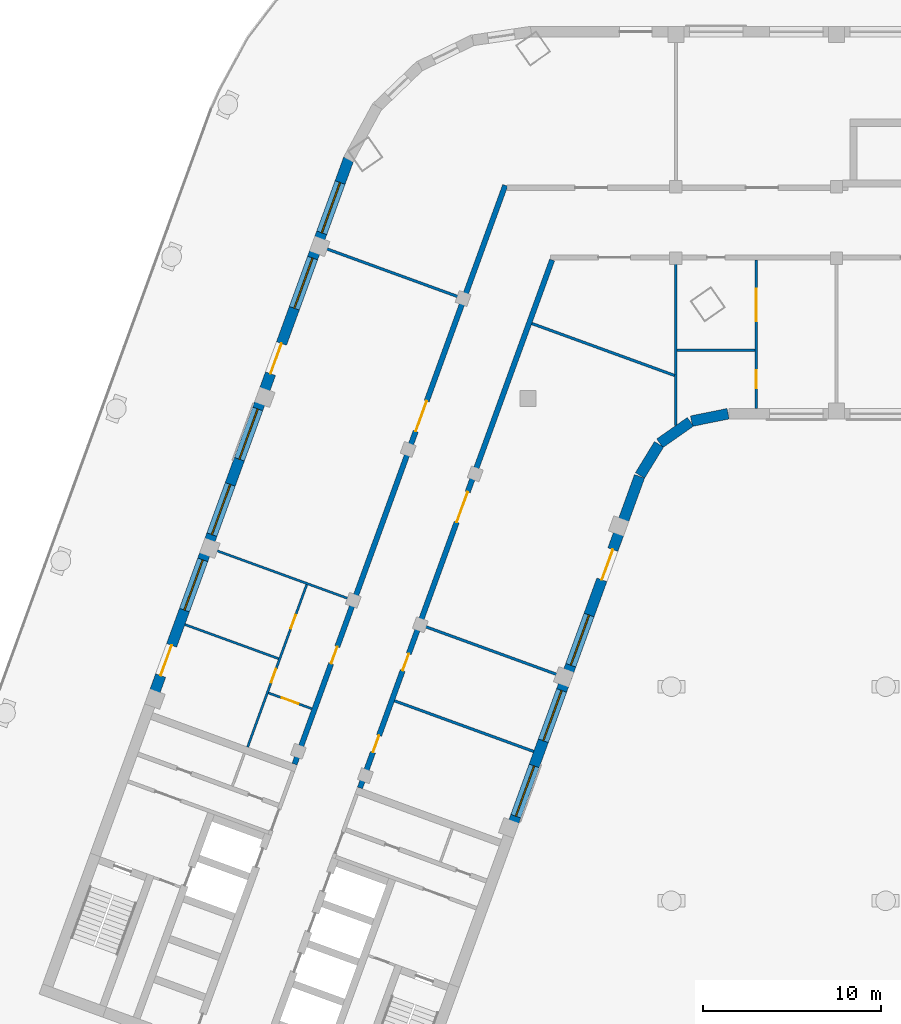
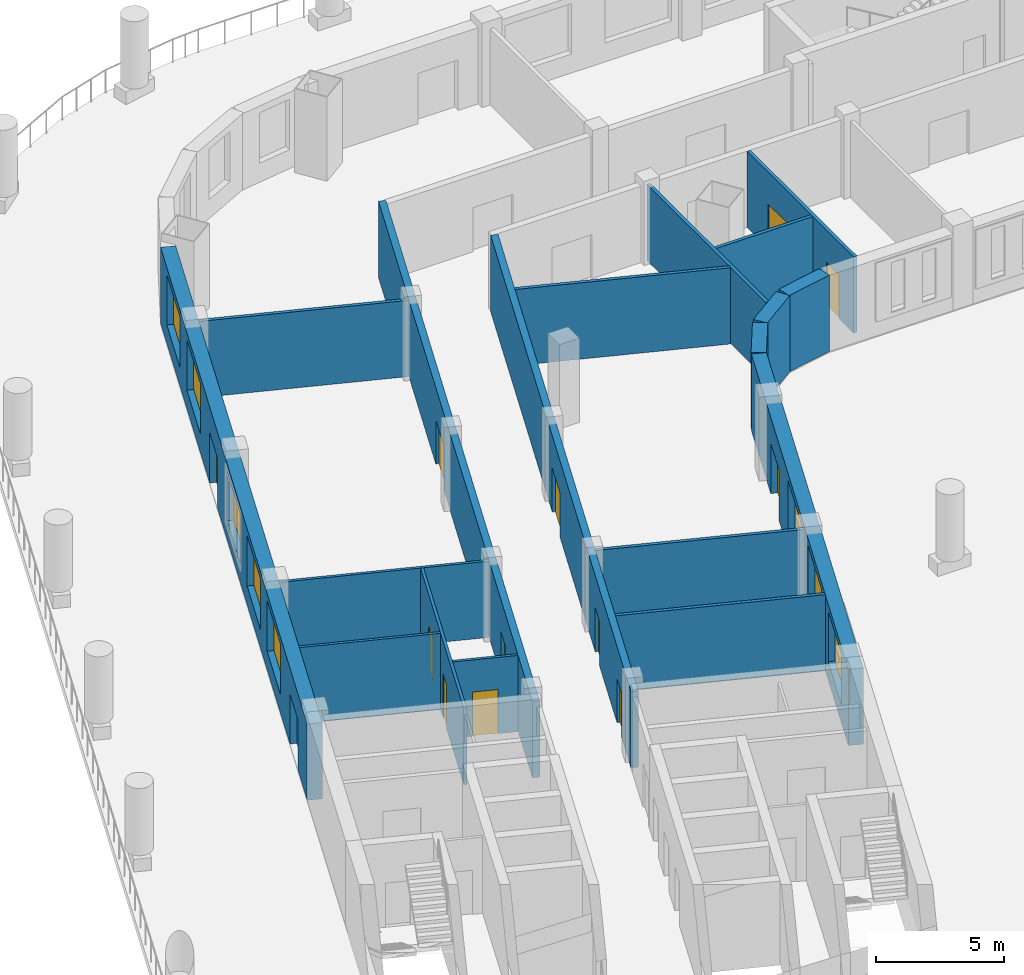
# One storey, part 4 of 18: 18 walls, 13 doors, 8 windows, 21 openings.
"""IFC4 building model written with IfcOpenShell, lengths in metres."""

from ifc_helpers import new_model, si_unit, direction, frame, frame_2d, origin, place, context, subcontext, project, spatial, rectangle, extrude, material, layer, layer_set, type_object, element, fill, save


model = new_model("IFC4")

# Units and contexts
model_context = context("Model", 3, precision=1e-05, world=origin(), true_north=direction((0.0, 1.0)))
body_context = subcontext(model_context, "Body", "Model", "MODEL_VIEW")
ifc_project = project(units=[si_unit("LENGTHUNIT", "METRE"), si_unit("AREAUNIT", "SQUARE_METRE"), si_unit("VOLUMEUNIT", "CUBIC_METRE"), si_unit("PLANEANGLEUNIT", "RADIAN"), si_unit("MASSUNIT", "GRAM", prefix="KILO")], contexts=[model_context])

# Site, building, storey
site_placement = place(None, origin())
site = spatial("IfcSite", under=ifc_project, at=site_placement, CompositionType="ELEMENT")
building_placement = place(site_placement, origin())
building = spatial("IfcBuilding", under=site, at=building_placement, Name="Skarvind Civic Tower", CompositionType="ELEMENT")
storey_placement = place(building_placement, frame((0.0, 0.0, 27.5)))
storey = spatial("IfcBuildingStorey", under=building, at=storey_placement, Name="L05", CompositionType="ELEMENT", Elevation=27.5)

# Wall, openings, doors
ifc_material_1 = material(Name="Fire-rated gypsum board on steel studs", Category="steel")
ifc_layer_1 = layer(ifc_material_1, 0.300048828125)
ifc_layer_set_1 = layer_set([ifc_layer_1], Name="CORRIDOR WALL 300")
wall_type_1 = type_object("IfcWallType", Name="CORRIDOR WALL 300", PredefinedType="PARTITIONING", material=ifc_layer_set_1)
wall_1_placement = place(storey_placement, frame((32.881103515625, 97.656982421875, 0.0), z_axis=(0.0, 0.0, 1.0), x_axis=(0.342017360004, 0.939693633828, 0.0)))
wall_1 = element("IfcWall", 1, at=wall_1_placement, inside=storey, type_object=wall_type_1, Name="Partition 05.006", PredefinedType="PARTITIONING", context=body_context, shape_type="SweptSolid", body=[
    extrude(rectangle(XDim=34.515625, YDim=0.300048828125, at=frame_2d((17.2578125, 0.0))), origin(), (0.0, 0.0, 1.0), 3.625),
])
opening_1_placement = place(wall_1_placement, frame((6.0, 0.0, 0.0)))
opening_1 = element("IfcOpeningElement", 2, at=opening_1_placement, cuts=wall_1, Name="Opening L05-D014", PredefinedType="OPENING", context=body_context, shape_type="SweptSolid", body=[
    extrude(rectangle(XDim=1.0, YDim=2.10009765625, at=frame_2d((0.5, 1.050048828125))), frame((0.0, 0.159912109375, 0.0), z_axis=(0.0, -1.0, 0.0), x_axis=(1.0, 0.0, 0.0)), (0.0, 0.0, 1.0), 0.320068359375),
])
opening_2_placement = place(wall_1_placement, frame((19.85009765625, 0.0, 0.0)))
opening_2 = element("IfcOpeningElement", 3, at=opening_2_placement, cuts=wall_1, Name="Opening L05-D018", PredefinedType="OPENING", context=body_context, shape_type="SweptSolid", body=[
    extrude(rectangle(XDim=1.800048828125, YDim=2.10009765625, at=frame_2d((0.89990234375, 1.050048828125))), frame((0.0, 0.159912109375, 0.0), z_axis=(0.0, -1.0, 0.0), x_axis=(1.0, 0.0, 0.0)), (0.0, 0.0, 1.0), 0.320068359375),
])
ifc_material_2 = material(Name="Fire-rated timber door leaf", Category="wood")
door_type_1 = type_object("IfcDoorType", Name="FD1 1000x2100", OperationType="NOTDEFINED", PredefinedType="DOOR", material=ifc_material_2)
door_1_placement = place(opening_1_placement, origin())
door_1 = element("IfcDoor", 4, at=door_1_placement, inside=storey, type_object=door_type_1, Name="Door L05-D014", OperationType="SINGLE_SWING_RIGHT", OverallHeight=2.10009765625, OverallWidth=1.0, PredefinedType="DOOR", context=body_context, shape_type="SweptSolid", body=[
    extrude(rectangle(XDim=1.0, YDim=2.10009765625, at=frame_2d((0.5, 1.050048828125))), frame((0.0, 0.02490234375, 0.0), z_axis=(0.0, -1.0, 0.0), x_axis=(1.0, 0.0, 0.0)), (0.0, 0.0, 1.0), 0.050048828125),
])
fill(opening_1, door_1)
door_type_2 = type_object("IfcDoorType", Name="FD4 1800x2100", OperationType="NOTDEFINED", PredefinedType="DOOR", material=ifc_material_2)
door_2_placement = place(opening_2_placement, origin())
door_2 = element("IfcDoor", 5, at=door_2_placement, inside=storey, type_object=door_type_2, Name="Door L05-D018", OperationType="DOUBLE_DOOR_SINGLE_SWING", OverallHeight=2.10009765625, OverallWidth=1.800048828125, PredefinedType="DOOR", context=body_context, shape_type="SweptSolid", body=[
    extrude(rectangle(XDim=1.800048828125, YDim=2.10009765625, at=frame_2d((0.89990234375, 1.050048828125))), frame((0.0, 0.02490234375, 0.0), z_axis=(0.0, -1.0, 0.0), x_axis=(1.0, 0.0, 0.0)), (0.0, 0.0, 1.0), 0.050048828125),
])
fill(opening_2, door_2)

wall_2_placement = place(storey_placement, frame((47.31396484375, 125.908935546875, 0.0), z_axis=(0.0, 0.0, 1.0), x_axis=(-0.342010770371, -0.939696032209, 0.0)))
wall_2 = element("IfcWall", 6, at=wall_2_placement, inside=storey, type_object=wall_type_1, Name="Partition 05.011", PredefinedType="PARTITIONING", context=body_context, shape_type="SweptSolid", body=[
    extrude(rectangle(XDim=31.484619140625, YDim=0.300048828125, at=frame_2d((15.7421875, 0.0))), origin(), (0.0, 0.0, 1.0), 3.625),
])
opening_3_placement = place(wall_2_placement, frame((28.359375, 0.0, 0.0)))
opening_3 = element("IfcOpeningElement", 7, at=opening_3_placement, cuts=wall_2, Name="Opening L05-D019", PredefinedType="OPENING", context=body_context, shape_type="SweptSolid", body=[
    extrude(rectangle(XDim=1.0, YDim=2.10009765625, at=frame_2d((0.5, 1.050048828125))), frame((0.0, 0.159912109375, 0.0), z_axis=(0.0, -1.0, 0.0), x_axis=(1.0, 0.0, 0.0)), (0.0, 0.0, 1.0), 0.320068359375),
])
opening_4_placement = place(wall_2_placement, frame((23.484375, 0.0, 0.0)))
opening_4 = element("IfcOpeningElement", 8, at=opening_4_placement, cuts=wall_2, Name="Opening L05-D020", PredefinedType="OPENING", context=body_context, shape_type="SweptSolid", body=[
    extrude(rectangle(XDim=1.0, YDim=2.10009765625, at=frame_2d((0.5, 1.050048828125))), frame((0.0, 0.159912109375, 0.0), z_axis=(0.0, -1.0, 0.0), x_axis=(1.0, 0.0, 0.0)), (0.0, 0.0, 1.0), 0.320068359375),
])
opening_5_placement = place(wall_2_placement, frame((13.83447265625, 0.0, 0.0)))
opening_5 = element("IfcOpeningElement", 9, at=opening_5_placement, cuts=wall_2, Name="Opening L05-D021", PredefinedType="OPENING", context=body_context, shape_type="SweptSolid", body=[
    extrude(rectangle(XDim=1.800048828125, YDim=2.10009765625, at=frame_2d((0.89990234375, 1.050048828125))), frame((0.0, 0.159912109375, 0.0), z_axis=(0.0, -1.0, 0.0), x_axis=(1.0, 0.0, 0.0)), (0.0, 0.0, 1.0), 0.320068359375),
])
door_3_placement = place(opening_3_placement, origin())
door_3 = element("IfcDoor", 10, at=door_3_placement, inside=storey, type_object=door_type_1, Name="Door L05-D019", OperationType="SINGLE_SWING_RIGHT", OverallHeight=2.10009765625, OverallWidth=1.0, PredefinedType="DOOR", context=body_context, shape_type="SweptSolid", body=[
    extrude(rectangle(XDim=1.0, YDim=2.10009765625, at=frame_2d((0.5, 1.050048828125))), frame((0.0, 0.02490234375, 0.0), z_axis=(0.0, -1.0, 0.0), x_axis=(1.0, 0.0, 0.0)), (0.0, 0.0, 1.0), 0.050048828125),
])
fill(opening_3, door_3)
door_4_placement = place(opening_4_placement, origin())
door_4 = element("IfcDoor", 11, at=door_4_placement, inside=storey, type_object=door_type_1, Name="Door L05-D020", OperationType="SINGLE_SWING_LEFT", OverallHeight=2.10009765625, OverallWidth=1.0, PredefinedType="DOOR", context=body_context, shape_type="SweptSolid", body=[
    extrude(rectangle(XDim=1.0, YDim=2.10009765625, at=frame_2d((0.5, 1.050048828125))), frame((0.0, 0.02490234375, 0.0), z_axis=(0.0, -1.0, 0.0), x_axis=(1.0, 0.0, 0.0)), (0.0, 0.0, 1.0), 0.050048828125),
])
fill(opening_4, door_4)
door_5_placement = place(opening_5_placement, origin())
door_5 = element("IfcDoor", 12, at=door_5_placement, inside=storey, type_object=door_type_2, Name="Door L05-D021", OperationType="DOUBLE_DOOR_SINGLE_SWING", OverallHeight=2.10009765625, OverallWidth=1.800048828125, PredefinedType="DOOR", context=body_context, shape_type="SweptSolid", body=[
    extrude(rectangle(XDim=1.800048828125, YDim=2.10009765625, at=frame_2d((0.89990234375, 1.050048828125))), frame((0.0, 0.02490234375, 0.0), z_axis=(0.0, -1.0, 0.0), x_axis=(1.0, 0.0, 0.0)), (0.0, 0.0, 1.0), 0.050048828125),
])
fill(opening_5, door_5)

# Walls
ifc_material_3 = material(Name="Plasterboard partition on steel studs", Category="steel")
ifc_layer_2 = layer(ifc_material_3, 0.14990234375)
ifc_layer_set_2 = layer_set([ifc_layer_2], Name="PARTITION 150")
wall_type_2 = type_object("IfcWallType", Name="PARTITION 150", PredefinedType="PARTITIONING", material=ifc_layer_set_2)
for number, where, z_axis, x_axis, name in (
    (13, (38.48193359375, 101.2060546875, 0.0), (0.0, 0.0, 1.0), (0.939687752599, -0.342033518263, 0.0), "Partition 05.007"),
    (14, (40.02099609375, 105.43408203125, 0.0), (0.0, 0.0, 1.0), (0.939687752599, -0.342033518263, 0.0), "Partition 05.008"),
    (15, (42.23095703125, 123.784912109375, 0.0), (0.0, 0.0, 1.0), (-0.939687752599, 0.342033518263, 0.0), "Partition 05.009"),
):
    element("IfcWall", number, at=place(storey_placement, frame(where, z_axis=z_axis, x_axis=x_axis)), inside=storey, type_object=wall_type_2, Name=name, PredefinedType="PARTITIONING", context=body_context, shape_type="SweptSolid", body=[
        extrude(rectangle(XDim=8.30078125, YDim=0.14990234375, at=frame_2d((4.150390625, 0.0))), origin(), (0.0, 0.0, 1.0), 3.625),
    ])
wall_3_placement = place(storey_placement, frame((54.25, 116.636962890625, 0.0), z_axis=(0.0, 0.0, 1.0), x_axis=(0.0, 1.0, 0.0)))
element("IfcWall", 16, at=wall_3_placement, inside=storey, type_object=wall_type_2, Name="Partition 05.012", PredefinedType="PARTITIONING", context=body_context, shape_type="SweptSolid", body=[
    extrude(rectangle(XDim=9.262939453125, YDim=0.14990234375, at=frame_2d((4.63134765625, 0.0))), origin(), (0.0, 0.0, 1.0), 3.625),
])
wall_4_placement = place(storey_placement, frame((54.179931640625, 119.43603515625, 0.0), z_axis=(0.0, 0.0, 1.0), x_axis=(-0.939669476286, 0.342083725624, 0.0)))
element("IfcWall", 17, at=wall_4_placement, inside=storey, type_object=wall_type_2, Name="Partition 05.013", PredefinedType="PARTITIONING", context=body_context, shape_type="SweptSolid", body=[
    extrude(rectangle(XDim=8.515625, YDim=0.14990234375, at=frame_2d((4.2578125, 0.0))), origin(), (0.0, 0.0, 1.0), 3.625),
])
wall_5_placement = place(storey_placement, frame((54.324951171875, 120.85009765625, 0.0), z_axis=(0.0, 0.0, 1.0), x_axis=(1.0, 0.0, 0.0)))
element("IfcWall", 18, at=wall_5_placement, inside=storey, type_object=wall_type_2, Name="Partition 05.014", PredefinedType="PARTITIONING", context=body_context, shape_type="SweptSolid", body=[
    extrude(rectangle(XDim=4.35009765625, YDim=0.14990234375, at=frame_2d((2.175048828125, 0.0))), origin(), (0.0, 0.0, 1.0), 3.625),
])

# Wall, openings, doors
wall_6_placement = place(storey_placement, frame((58.75, 117.60009765625, 0.0), z_axis=(0.0, 0.0, 1.0), x_axis=(0.0, 1.0, 0.0)))
wall_6 = element("IfcWall", 19, at=wall_6_placement, inside=storey, type_object=wall_type_2, Name="Partition 05.016", PredefinedType="PARTITIONING", context=body_context, shape_type="SweptSolid", body=[
    extrude(rectangle(XDim=8.2998046875, YDim=0.14990234375, at=frame_2d((4.14990234375, 0.0))), origin(), (0.0, 0.0, 1.0), 3.625),
])
opening_6_placement = place(wall_6_placement, frame((1.125, 0.0, 0.0)))
opening_6 = element("IfcOpeningElement", 20, at=opening_6_placement, cuts=wall_6, Name="Opening L05-D012", PredefinedType="OPENING", context=body_context, shape_type="SweptSolid", body=[
    extrude(rectangle(XDim=1.0, YDim=2.10009765625, at=frame_2d((0.5, 1.050048828125))), frame((0.0, 0.0849609375, 0.0), z_axis=(0.0, -1.0, 0.0), x_axis=(1.0, 0.0, 0.0)), (0.0, 0.0, 1.0), 0.169921875),
])
opening_7_placement = place(wall_6_placement, frame((4.883544921875, 0.0, 0.0)))
opening_7 = element("IfcOpeningElement", 21, at=opening_7_placement, cuts=wall_6, Name="Opening L05-D013", PredefinedType="OPENING", context=body_context, shape_type="SweptSolid", body=[
    extrude(rectangle(XDim=1.800048828125, YDim=2.10009765625, at=frame_2d((0.89990234375, 1.050048828125))), frame((0.0, 0.0849609375, 0.0), z_axis=(0.0, -1.0, 0.0), x_axis=(1.0, 0.0, 0.0)), (0.0, 0.0, 1.0), 0.169921875),
])
ifc_material_4 = material(Name="Timber door leaf", Category="wood")
door_type_3 = type_object("IfcDoorType", Name="D1 1000x2100", OperationType="NOTDEFINED", PredefinedType="DOOR", material=ifc_material_4)
door_6_placement = place(opening_6_placement, origin())
door_6 = element("IfcDoor", 22, at=door_6_placement, inside=storey, type_object=door_type_3, Name="Door L05-D012", OperationType="SINGLE_SWING_RIGHT", OverallHeight=2.10009765625, OverallWidth=1.0, PredefinedType="DOOR", context=body_context, shape_type="SweptSolid", body=[
    extrude(rectangle(XDim=1.0, YDim=2.10009765625, at=frame_2d((0.5, 1.050048828125))), frame((0.0, 0.02490234375, 0.0), z_axis=(0.0, -1.0, 0.0), x_axis=(1.0, 0.0, 0.0)), (0.0, 0.0, 1.0), 0.050048828125),
])
fill(opening_6, door_6)
door_type_4 = type_object("IfcDoorType", Name="D4 1800x2100", OperationType="NOTDEFINED", PredefinedType="DOOR", material=ifc_material_4)
door_7_placement = place(opening_7_placement, origin())
door_7 = element("IfcDoor", 23, at=door_7_placement, inside=storey, type_object=door_type_4, Name="Door L05-D013", OperationType="DOUBLE_DOOR_SINGLE_SWING", OverallHeight=2.10009765625, OverallWidth=1.800048828125, PredefinedType="DOOR", context=body_context, shape_type="SweptSolid", body=[
    extrude(rectangle(XDim=1.800048828125, YDim=2.10009765625, at=frame_2d((0.89990234375, 1.050048828125))), frame((0.0, 0.02490234375, 0.0), z_axis=(0.0, -1.0, 0.0), x_axis=(1.0, 0.0, 0.0)), (0.0, 0.0, 1.0), 0.050048828125),
])
fill(opening_7, door_7)

# Walls
ifc_material_5 = material(Name="Moisture-resistant gypsum board on steel studs", Category="steel")
ifc_layer_3 = layer(ifc_material_5, 0.125)
ifc_layer_set_3 = layer_set([ifc_layer_3], Name="WC PARTITION 125")
wall_type_3 = type_object("IfcWallType", Name="WC PARTITION 125", PredefinedType="PARTITIONING", material=ifc_layer_set_3)
wall_7_placement = place(storey_placement, frame((26.736083984375, 105.47998046875, 0.0), z_axis=(0.0, 0.0, 1.0), x_axis=(0.939690035435, -0.342027246436, 0.0)))
element("IfcWall", 24, at=wall_7_placement, inside=storey, type_object=wall_type_3, Name="Partition 05.001", PredefinedType="PARTITIONING", context=body_context, shape_type="SweptSolid", body=[
    extrude(rectangle(XDim=5.5869140625, YDim=0.125, at=frame_2d((2.79345703125, 0.0))), origin(), (0.0, 0.0, 1.0), 3.625),
])
wall_8_placement = place(storey_placement, frame((28.27490234375, 109.708984375, 0.0), z_axis=(0.0, 0.0, 1.0), x_axis=(0.939697205528, -0.342007546586, 0.0)))
element("IfcWall", 25, at=wall_8_placement, inside=storey, type_object=wall_type_3, Name="Partition 05.002", PredefinedType="PARTITIONING", context=body_context, shape_type="SweptSolid", body=[
    extrude(rectangle(XDim=8.300537109375, YDim=0.125, at=frame_2d((4.150390625, 0.0))), origin(), (0.0, 0.0, 1.0), 3.625),
])

# Wall, openings, doors
wall_9_placement = place(storey_placement, frame((30.25, 98.614990234375, 0.0), z_axis=(0.0, 0.0, 1.0), x_axis=(0.341998018937, 0.93970067311, 0.0)))
wall_9 = element("IfcWall", 26, at=wall_9_placement, inside=storey, type_object=wall_type_3, Name="Partition 05.003", PredefinedType="PARTITIONING", context=body_context, shape_type="SweptSolid", body=[
    extrude(rectangle(XDim=9.687255859375, YDim=0.125, at=frame_2d((4.84375, 0.0))), origin(), (0.0, 0.0, 1.0), 3.625),
])
opening_8_placement = place(wall_9_placement, frame((7.078125, 0.0, 0.0)))
opening_8 = element("IfcOpeningElement", 27, at=opening_8_placement, cuts=wall_9, Name="Opening L05-D016", PredefinedType="OPENING", context=body_context, shape_type="SweptSolid", body=[
    extrude(rectangle(XDim=0.800048828125, YDim=2.10009765625, at=frame_2d((0.39990234375, 1.050048828125))), frame((0.0, 0.072509765625, 0.0), z_axis=(0.0, -1.0, 0.0), x_axis=(1.0, 0.0, 0.0)), (0.0, 0.0, 1.0), 0.14501953125),
])
opening_9_placement = place(wall_9_placement, frame((3.847900390625, 0.0, 0.0)))
opening_9 = element("IfcOpeningElement", 28, at=opening_9_placement, cuts=wall_9, Name="Opening L05-D017", PredefinedType="OPENING", context=body_context, shape_type="SweptSolid", body=[
    extrude(rectangle(XDim=0.800048828125, YDim=2.10009765625, at=frame_2d((0.39990234375, 1.050048828125))), frame((0.0, 0.072509765625, 0.0), z_axis=(0.0, -1.0, 0.0), x_axis=(1.0, 0.0, 0.0)), (0.0, 0.0, 1.0), 0.14501953125),
])
door_type_5 = type_object("IfcDoorType", Name="DOOR 800X2100 TIMBER", OperationType="NOTDEFINED", PredefinedType="DOOR", material=ifc_material_4)
door_8_placement = place(opening_8_placement, origin())
door_8 = element("IfcDoor", 29, at=door_8_placement, inside=storey, type_object=door_type_5, Name="Door L05-D016", OperationType="SINGLE_SWING_RIGHT", OverallHeight=2.10009765625, OverallWidth=0.800048828125, PredefinedType="DOOR", context=body_context, shape_type="SweptSolid", body=[
    extrude(rectangle(XDim=0.800048828125, YDim=2.10009765625, at=frame_2d((0.39990234375, 1.050048828125))), frame((0.0, 0.02490234375, 0.0), z_axis=(0.0, -1.0, 0.0), x_axis=(1.0, 0.0, 0.0)), (0.0, 0.0, 1.0), 0.050048828125),
])
fill(opening_8, door_8)
door_9_placement = place(opening_9_placement, origin())
door_9 = element("IfcDoor", 30, at=door_9_placement, inside=storey, type_object=door_type_5, Name="Door L05-D017", OperationType="SINGLE_SWING_RIGHT", OverallHeight=2.10009765625, OverallWidth=0.800048828125, PredefinedType="DOOR", context=body_context, shape_type="SweptSolid", body=[
    extrude(rectangle(XDim=0.800048828125, YDim=2.10009765625, at=frame_2d((0.39990234375, 1.050048828125))), frame((0.0, 0.02490234375, 0.0), z_axis=(0.0, -1.0, 0.0), x_axis=(1.0, 0.0, 0.0)), (0.0, 0.0, 1.0), 0.050048828125),
])
fill(opening_9, door_9)

# Wall, opening, door
wall_10_placement = place(storey_placement, frame((33.85205078125, 100.761962890625, 0.0), z_axis=(0.0, 0.0, 1.0), x_axis=(-0.93959774877, 0.342280689649, 0.0)))
wall_10 = element("IfcWall", 31, at=wall_10_placement, inside=storey, type_object=wall_type_3, Name="Partition 05.004", PredefinedType="PARTITIONING", context=body_context, shape_type="SweptSolid", body=[
    extrude(rectangle(XDim=2.58837890625, YDim=0.125, at=frame_2d((1.294189453125, 0.0))), origin(), (0.0, 0.0, 1.0), 3.625),
])
opening_10_placement = place(wall_10_placement, frame((0.7939453125, 0.0, 0.0)))
opening_10 = element("IfcOpeningElement", 32, at=opening_10_placement, cuts=wall_10, Name="Opening L05-D015", PredefinedType="OPENING", context=body_context, shape_type="SweptSolid", body=[
    extrude(rectangle(XDim=1.0, YDim=2.10009765625, at=frame_2d((0.5, 1.050048828125))), frame((0.0, 0.072509765625, 0.0), z_axis=(0.0, -1.0, 0.0), x_axis=(1.0, 0.0, 0.0)), (0.0, 0.0, 1.0), 0.14501953125),
])
door_10_placement = place(opening_10_placement, origin())
door_10 = element("IfcDoor", 33, at=door_10_placement, inside=storey, type_object=door_type_3, Name="Door L05-D015", OperationType="SINGLE_SWING_RIGHT", OverallHeight=2.10009765625, OverallWidth=1.0, PredefinedType="DOOR", context=body_context, shape_type="SweptSolid", body=[
    extrude(rectangle(XDim=1.0, YDim=2.10009765625, at=frame_2d((0.5, 1.050048828125))), frame((0.0, 0.02490234375, 0.0), z_axis=(0.0, -1.0, 0.0), x_axis=(1.0, 0.0, 0.0)), (0.0, 0.0, 1.0), 0.050048828125),
])
fill(opening_10, door_10)

# Wall, openings, door, windows
ifc_material_6 = material(Name="Limestone masonry cladding on insulated backing", Category="masonry")
ifc_layer_4 = layer(ifc_material_6, 0.60009765625)
ifc_layer_set_4 = layer_set([ifc_layer_4], Name="WX1 STONE FACADE WALL 600")
wall_type_4 = type_object("IfcWallType", Name="WX1 STONE FACADE WALL 600", PredefinedType="SOLIDWALL", material=ifc_layer_set_4)
wall_11_placement = place(storey_placement, frame((52.212158203125, 113.78271484375, 0.0), z_axis=(0.0, 0.0, 1.0), x_axis=(-0.34202521188, -0.939690775968, 0.0)))
wall_11 = element("IfcWall", 34, at=wall_11_placement, inside=storey, type_object=wall_type_4, Name="STONE FACADE WALL", PredefinedType="SOLIDWALL", context=body_context, shape_type="SweptSolid", body=[
    extrude(rectangle(XDim=21.744873046875, YDim=0.60009765625, at=frame_2d((10.87255859375, 0.0))), origin(), (0.0, 0.0, 1.0), 3.625),
])
opening_11_placement = place(wall_11_placement, frame((4.364990234375, 0.0, 0.0)))
opening_11 = element("IfcOpeningElement", 35, at=opening_11_placement, cuts=wall_11, Name="Opening DX3", PredefinedType="OPENING", context=body_context, shape_type="SweptSolid", body=[
    extrude(rectangle(XDim=1.800048828125, YDim=2.39990234375, at=frame_2d((0.89990234375, 1.199951171875))), frame((0.0, 0.31005859375, 0.0), z_axis=(0.0, -1.0, 0.0), x_axis=(1.0, 0.0, 0.0)), (0.0, 0.0, 1.0), 0.6201171875),
])
opening_12_placement = place(wall_11_placement, frame((8.264892578125, 0.0, 0.89990234375)))
opening_12 = element("IfcOpeningElement", 36, at=opening_12_placement, cuts=wall_11, Name="Opening WN1", PredefinedType="OPENING", context=body_context, shape_type="SweptSolid", body=[
    extrude(rectangle(XDim=3.0, YDim=2.39990234375, at=frame_2d((1.5, 1.199951171875))), frame((0.0, 0.31005859375, 0.0), z_axis=(0.0, -1.0, 0.0), x_axis=(1.0, 0.0, 0.0)), (0.0, 0.0, 1.0), 0.6201171875),
])
opening_13_placement = place(wall_11_placement, frame((12.764892578125, 0.0, 0.89990234375)))
opening_13 = element("IfcOpeningElement", 37, at=opening_13_placement, cuts=wall_11, Name="Opening WN1", PredefinedType="OPENING", context=body_context, shape_type="SweptSolid", body=[
    extrude(rectangle(XDim=3.0, YDim=2.39990234375, at=frame_2d((1.5, 1.199951171875))), frame((0.0, 0.31005859375, 0.0), z_axis=(0.0, -1.0, 0.0), x_axis=(1.0, 0.0, 0.0)), (0.0, 0.0, 1.0), 0.6201171875),
])
opening_14_placement = place(wall_11_placement, frame((17.264892578125, 0.0, 0.89990234375)))
opening_14 = element("IfcOpeningElement", 38, at=opening_14_placement, cuts=wall_11, Name="Opening WN1", PredefinedType="OPENING", context=body_context, shape_type="SweptSolid", body=[
    extrude(rectangle(XDim=3.0, YDim=2.39990234375, at=frame_2d((1.5, 1.199951171875))), frame((0.0, 0.31005859375, 0.0), z_axis=(0.0, -1.0, 0.0), x_axis=(1.0, 0.0, 0.0)), (0.0, 0.0, 1.0), 0.6201171875),
])
ifc_material_7 = material(Name="Timber and glass doorset", Category="wood")
door_type_6 = type_object("IfcDoorType", Name="DX3 TERRACE DOORS 1800 x 2400", OperationType="NOTDEFINED", PredefinedType="DOOR", material=ifc_material_7)
door_11_placement = place(opening_11_placement, origin())
door_11 = element("IfcDoor", 39, at=door_11_placement, inside=storey, type_object=door_type_6, Name="TERRACE DOORS", OperationType="DOUBLE_DOOR_SINGLE_SWING", OverallHeight=2.39990234375, OverallWidth=1.800048828125, PredefinedType="DOOR", context=body_context, shape_type="SweptSolid", body=[
    extrude(rectangle(XDim=1.800048828125, YDim=2.39990234375, at=frame_2d((0.89990234375, 1.199951171875))), frame((0.0, 0.02490234375, 0.0), z_axis=(0.0, -1.0, 0.0), x_axis=(1.0, 0.0, 0.0)), (0.0, 0.0, 1.0), 0.050048828125),
])
fill(opening_11, door_11)
ifc_material_8 = material(Name="Timber frame, double glazing, timber-lined reveal", Category="wood")
window_type = type_object("IfcWindowType", Name="WN1 PUNCHED STONE WINDOW 3000 x 2400", PartitioningType="SINGLE_PANEL", PredefinedType="WINDOW", material=ifc_material_8)
window_1_placement = place(opening_12_placement, origin())
window_1 = element("IfcWindow", 40, at=window_1_placement, inside=storey, type_object=window_type, Name="WN1 WINDOW", OverallHeight=2.39990234375, OverallWidth=3.0, PartitioningType="SINGLE_PANEL", PredefinedType="WINDOW", context=body_context, shape_type="SweptSolid", body=[
    extrude(rectangle(XDim=3.0, YDim=2.39990234375, at=frame_2d((1.5, 1.199951171875))), frame((0.0, 0.030029296875, 0.0), z_axis=(0.0, -1.0, 0.0), x_axis=(1.0, 0.0, 0.0)), (0.0, 0.0, 1.0), 0.06005859375),
])
fill(opening_12, window_1)
window_2_placement = place(opening_13_placement, origin())
window_2 = element("IfcWindow", 41, at=window_2_placement, inside=storey, type_object=window_type, Name="WN1 WINDOW", OverallHeight=2.39990234375, OverallWidth=3.0, PartitioningType="SINGLE_PANEL", PredefinedType="WINDOW", context=body_context, shape_type="SweptSolid", body=[
    extrude(rectangle(XDim=3.0, YDim=2.39990234375, at=frame_2d((1.5, 1.199951171875))), frame((0.0, 0.030029296875, 0.0), z_axis=(0.0, -1.0, 0.0), x_axis=(1.0, 0.0, 0.0)), (0.0, 0.0, 1.0), 0.06005859375),
])
fill(opening_13, window_2)
window_3_placement = place(opening_14_placement, origin())
window_3 = element("IfcWindow", 42, at=window_3_placement, inside=storey, type_object=window_type, Name="WN1 WINDOW", OverallHeight=2.39990234375, OverallWidth=3.0, PartitioningType="SINGLE_PANEL", PredefinedType="WINDOW", context=body_context, shape_type="SweptSolid", body=[
    extrude(rectangle(XDim=3.0, YDim=2.39990234375, at=frame_2d((1.5, 1.199951171875))), frame((0.0, 0.030029296875, 0.0), z_axis=(0.0, -1.0, 0.0), x_axis=(1.0, 0.0, 0.0)), (0.0, 0.0, 1.0), 0.06005859375),
])
fill(opening_14, window_3)

# Walls
wall_12_placement = place(storey_placement, frame((53.30517578125, 115.578369140625, 0.0), z_axis=(0.0, 0.0, 1.0), x_axis=(-0.522402266438, -0.852699168535, 0.0)))
element("IfcWall", 43, at=wall_12_placement, inside=storey, type_object=wall_type_4, Name="STONE FACADE WALL", PredefinedType="SOLIDWALL", context=body_context, shape_type="SweptSolid", body=[
    extrude(rectangle(XDim=2.042236328125, YDim=0.60009765625, at=frame_2d((1.02099609375, 0.0))), origin(), (0.0, 0.0, 1.0), 3.625),
])
for number, where, z_axis, x_axis, name in (
    (44, (55.061767578125, 116.8388671875, 0.0), (0.0, 0.0, 1.0), (-0.819122269495, -0.573618956815, 0.0), "STONE FACADE WALL"),
    (45, (57.17529296875, 117.2939453125, 0.0), (0.0, 0.0, 1.0), (-0.97996099083, -0.19918949885, 0.0), "STONE FACADE WALL"),
):
    element("IfcWall", number, at=place(storey_placement, frame(where, z_axis=z_axis, x_axis=x_axis)), inside=storey, type_object=wall_type_4, Name=name, PredefinedType="SOLIDWALL", context=body_context, shape_type="SweptSolid", body=[
        extrude(rectangle(XDim=2.09228515625, YDim=0.60009765625, at=frame_2d((1.046142578125, 0.0))), origin(), (0.0, 0.0, 1.0), 3.625),
    ])

# Wall, openings, doors, windows
wall_13_placement = place(storey_placement, frame((24.66552734375, 100.668701171875, 0.0), z_axis=(0.0, 0.0, 1.0), x_axis=(0.34201964167, 0.939692803373, 0.0)))
wall_13 = element("IfcWall", 46, at=wall_13_placement, inside=storey, type_object=wall_type_4, Name="STONE FACADE WALL", PredefinedType="SOLIDWALL", context=body_context, shape_type="SweptSolid", body=[
    extrude(rectangle(XDim=32.88427734375, YDim=0.60009765625, at=frame_2d((16.442138671875, 0.0))), origin(), (0.0, 0.0, 1.0), 3.625),
])
opening_15_placement = place(wall_13_placement, frame((2.080078125, 0.0, 0.0)))
opening_15 = element("IfcOpeningElement", 47, at=opening_15_placement, cuts=wall_13, Name="Opening DX3", PredefinedType="OPENING", context=body_context, shape_type="SweptSolid", body=[
    extrude(rectangle(XDim=1.800048828125, YDim=2.39990234375, at=frame_2d((0.89990234375, 1.199951171875))), frame((0.0, 0.31005859375, 0.0), z_axis=(0.0, -1.0, 0.0), x_axis=(1.0, 0.0, 0.0)), (0.0, 0.0, 1.0), 0.6201171875),
])
opening_16_placement = place(wall_13_placement, frame((5.97998046875, 0.0, 0.89990234375)))
opening_16 = element("IfcOpeningElement", 48, at=opening_16_placement, cuts=wall_13, Name="Opening WN1", PredefinedType="OPENING", context=body_context, shape_type="SweptSolid", body=[
    extrude(rectangle(XDim=3.0, YDim=2.39990234375, at=frame_2d((1.5, 1.199951171875))), frame((0.0, 0.31005859375, 0.0), z_axis=(0.0, -1.0, 0.0), x_axis=(1.0, 0.0, 0.0)), (0.0, 0.0, 1.0), 0.6201171875),
])
opening_17_placement = place(wall_13_placement, frame((10.47998046875, 0.0, 0.89990234375)))
opening_17 = element("IfcOpeningElement", 49, at=opening_17_placement, cuts=wall_13, Name="Opening WN1", PredefinedType="OPENING", context=body_context, shape_type="SweptSolid", body=[
    extrude(rectangle(XDim=3.0, YDim=2.39990234375, at=frame_2d((1.5, 1.199951171875))), frame((0.0, 0.31005859375, 0.0), z_axis=(0.0, -1.0, 0.0), x_axis=(1.0, 0.0, 0.0)), (0.0, 0.0, 1.0), 0.6201171875),
])
opening_18_placement = place(wall_13_placement, frame((14.97998046875, 0.0, 0.89990234375)))
opening_18 = element("IfcOpeningElement", 50, at=opening_18_placement, cuts=wall_13, Name="Opening WN1", PredefinedType="OPENING", context=body_context, shape_type="SweptSolid", body=[
    extrude(rectangle(XDim=3.0, YDim=2.39990234375, at=frame_2d((1.5, 1.199951171875))), frame((0.0, 0.31005859375, 0.0), z_axis=(0.0, -1.0, 0.0), x_axis=(1.0, 0.0, 0.0)), (0.0, 0.0, 1.0), 0.6201171875),
])
opening_19_placement = place(wall_13_placement, frame((20.080078125, 0.0, 0.0)))
opening_19 = element("IfcOpeningElement", 51, at=opening_19_placement, cuts=wall_13, Name="Opening DX3", PredefinedType="OPENING", context=body_context, shape_type="SweptSolid", body=[
    extrude(rectangle(XDim=1.800048828125, YDim=2.39990234375, at=frame_2d((0.89990234375, 1.199951171875))), frame((0.0, 0.31005859375, 0.0), z_axis=(0.0, -1.0, 0.0), x_axis=(1.0, 0.0, 0.0)), (0.0, 0.0, 1.0), 0.6201171875),
])
opening_20_placement = place(wall_13_placement, frame((23.97998046875, 0.0, 0.89990234375)))
opening_20 = element("IfcOpeningElement", 52, at=opening_20_placement, cuts=wall_13, Name="Opening WN1", PredefinedType="OPENING", context=body_context, shape_type="SweptSolid", body=[
    extrude(rectangle(XDim=3.0, YDim=2.39990234375, at=frame_2d((1.5, 1.199951171875))), frame((0.0, 0.31005859375, 0.0), z_axis=(0.0, -1.0, 0.0), x_axis=(1.0, 0.0, 0.0)), (0.0, 0.0, 1.0), 0.6201171875),
])
opening_21_placement = place(wall_13_placement, frame((28.47998046875, 0.0, 0.89990234375)))
opening_21 = element("IfcOpeningElement", 53, at=opening_21_placement, cuts=wall_13, Name="Opening WN1", PredefinedType="OPENING", context=body_context, shape_type="SweptSolid", body=[
    extrude(rectangle(XDim=3.0, YDim=2.39990234375, at=frame_2d((1.5, 1.199951171875))), frame((0.0, 0.31005859375, 0.0), z_axis=(0.0, -1.0, 0.0), x_axis=(1.0, 0.0, 0.0)), (0.0, 0.0, 1.0), 0.6201171875),
])
door_12_placement = place(opening_15_placement, origin())
door_12 = element("IfcDoor", 54, at=door_12_placement, inside=storey, type_object=door_type_6, Name="TERRACE DOORS", OperationType="DOUBLE_DOOR_SINGLE_SWING", OverallHeight=2.39990234375, OverallWidth=1.800048828125, PredefinedType="DOOR", context=body_context, shape_type="SweptSolid", body=[
    extrude(rectangle(XDim=1.800048828125, YDim=2.39990234375, at=frame_2d((0.89990234375, 1.199951171875))), frame((0.0, 0.02490234375, 0.0), z_axis=(0.0, -1.0, 0.0), x_axis=(1.0, 0.0, 0.0)), (0.0, 0.0, 1.0), 0.050048828125),
])
fill(opening_15, door_12)
door_13_placement = place(opening_19_placement, origin())
door_13 = element("IfcDoor", 55, at=door_13_placement, inside=storey, type_object=door_type_6, Name="TERRACE DOORS", OperationType="DOUBLE_DOOR_SINGLE_SWING", OverallHeight=2.39990234375, OverallWidth=1.800048828125, PredefinedType="DOOR", context=body_context, shape_type="SweptSolid", body=[
    extrude(rectangle(XDim=1.800048828125, YDim=2.39990234375, at=frame_2d((0.89990234375, 1.199951171875))), frame((0.0, 0.02490234375, 0.0), z_axis=(0.0, -1.0, 0.0), x_axis=(1.0, 0.0, 0.0)), (0.0, 0.0, 1.0), 0.050048828125),
])
fill(opening_19, door_13)
window_4_placement = place(opening_16_placement, origin())
window_4 = element("IfcWindow", 56, at=window_4_placement, inside=storey, type_object=window_type, Name="WN1 WINDOW", OverallHeight=2.39990234375, OverallWidth=3.0, PartitioningType="SINGLE_PANEL", PredefinedType="WINDOW", context=body_context, shape_type="SweptSolid", body=[
    extrude(rectangle(XDim=3.0, YDim=2.39990234375, at=frame_2d((1.5, 1.199951171875))), frame((0.0, 0.030029296875, 0.0), z_axis=(0.0, -1.0, 0.0), x_axis=(1.0, 0.0, 0.0)), (0.0, 0.0, 1.0), 0.06005859375),
])
fill(opening_16, window_4)
window_5_placement = place(opening_17_placement, origin())
window_5 = element("IfcWindow", 57, at=window_5_placement, inside=storey, type_object=window_type, Name="WN1 WINDOW", OverallHeight=2.39990234375, OverallWidth=3.0, PartitioningType="SINGLE_PANEL", PredefinedType="WINDOW", context=body_context, shape_type="SweptSolid", body=[
    extrude(rectangle(XDim=3.0, YDim=2.39990234375, at=frame_2d((1.5, 1.199951171875))), frame((0.0, 0.030029296875, 0.0), z_axis=(0.0, -1.0, 0.0), x_axis=(1.0, 0.0, 0.0)), (0.0, 0.0, 1.0), 0.06005859375),
])
fill(opening_17, window_5)
window_6_placement = place(opening_18_placement, origin())
window_6 = element("IfcWindow", 58, at=window_6_placement, inside=storey, type_object=window_type, Name="WN1 WINDOW", OverallHeight=2.39990234375, OverallWidth=3.0, PartitioningType="SINGLE_PANEL", PredefinedType="WINDOW", context=body_context, shape_type="SweptSolid", body=[
    extrude(rectangle(XDim=3.0, YDim=2.39990234375, at=frame_2d((1.5, 1.199951171875))), frame((0.0, 0.030029296875, 0.0), z_axis=(0.0, -1.0, 0.0), x_axis=(1.0, 0.0, 0.0)), (0.0, 0.0, 1.0), 0.06005859375),
])
fill(opening_18, window_6)
window_7_placement = place(opening_20_placement, origin())
window_7 = element("IfcWindow", 59, at=window_7_placement, inside=storey, type_object=window_type, Name="WN1 WINDOW", OverallHeight=2.39990234375, OverallWidth=3.0, PartitioningType="SINGLE_PANEL", PredefinedType="WINDOW", context=body_context, shape_type="SweptSolid", body=[
    extrude(rectangle(XDim=3.0, YDim=2.39990234375, at=frame_2d((1.5, 1.199951171875))), frame((0.0, 0.030029296875, 0.0), z_axis=(0.0, -1.0, 0.0), x_axis=(1.0, 0.0, 0.0)), (0.0, 0.0, 1.0), 0.06005859375),
])
fill(opening_20, window_7)
window_8_placement = place(opening_21_placement, origin())
window_8 = element("IfcWindow", 60, at=window_8_placement, inside=storey, type_object=window_type, Name="WN1 WINDOW", OverallHeight=2.39990234375, OverallWidth=3.0, PartitioningType="SINGLE_PANEL", PredefinedType="WINDOW", context=body_context, shape_type="SweptSolid", body=[
    extrude(rectangle(XDim=3.0, YDim=2.39990234375, at=frame_2d((1.5, 1.199951171875))), frame((0.0, 0.030029296875, 0.0), z_axis=(0.0, -1.0, 0.0), x_axis=(1.0, 0.0, 0.0)), (0.0, 0.0, 1.0), 0.06005859375),
])
fill(opening_21, window_8)

save(model, "model.ifc")
